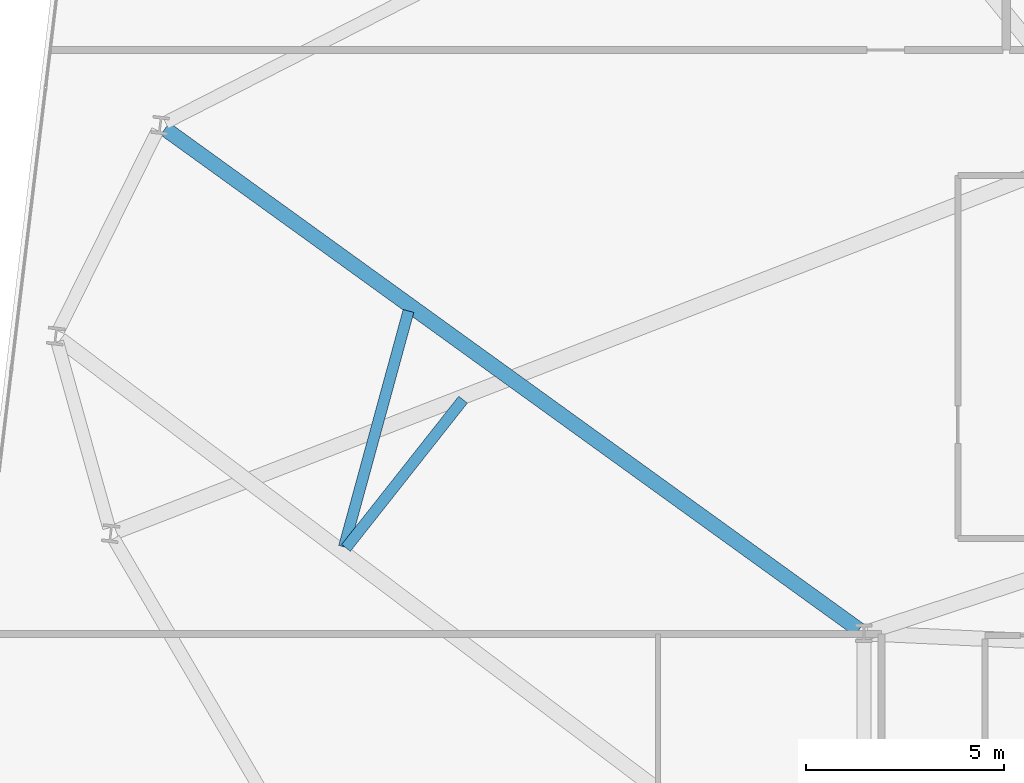
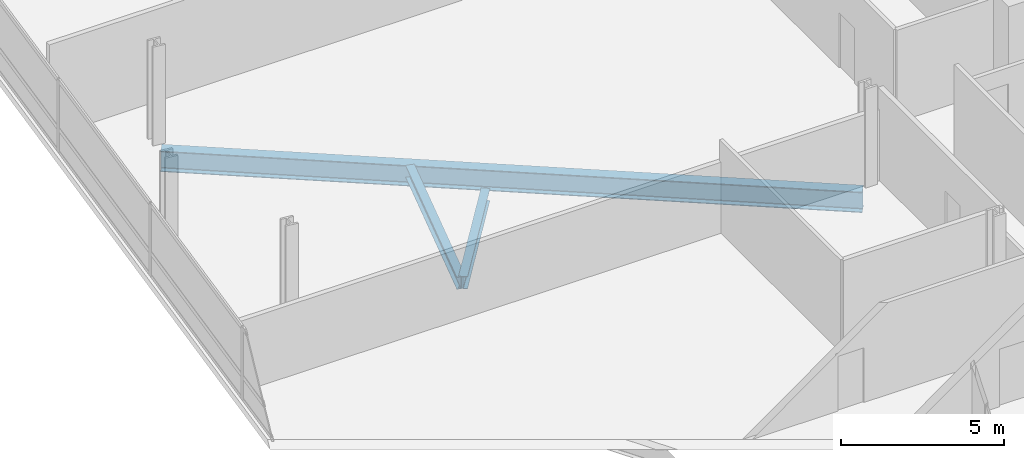
# One storey, part 9 of 25: 3 beams.
"""IFC4 building model written with IfcOpenShell, lengths in metres."""

from ifc_helpers import new_model, si_unit, direction, frame, origin, origin_2d, place, context, subcontext, project, spatial, i_section, extrude, material, material_profile, profile_set, type_object, element, save


model = new_model("IFC4")

# Units and contexts
model_context = context("Model", 3, precision=1e-05, world=origin(), true_north=direction((0.0, 1.0)))
body_context = subcontext(model_context, "Body", "Model", "MODEL_VIEW")
ifc_project = project(units=[si_unit("LENGTHUNIT", "METRE"), si_unit("AREAUNIT", "SQUARE_METRE"), si_unit("VOLUMEUNIT", "CUBIC_METRE"), si_unit("PLANEANGLEUNIT", "RADIAN"), si_unit("MASSUNIT", "GRAM", prefix="KILO")], contexts=[model_context])

# Site, building, storey
site_placement = place(None, origin())
site = spatial("IfcSite", under=ifc_project, at=site_placement, CompositionType="ELEMENT")
building_placement = place(site_placement, origin())
building = spatial("IfcBuilding", under=site, at=building_placement, Name="Varnelok Gate Tower", CompositionType="ELEMENT")
storey_placement = place(building_placement, frame((0.0, 0.0, 132.800048828125)))
storey = spatial("IfcBuildingStorey", under=building, at=storey_placement, Name="L33", CompositionType="ELEMENT", Elevation=132.800048828125)

# Beams
ifc_material = material(Name="Structural Steel ASTM A992 Grade 50", Category="steel")
ifc_material_profile_1 = material_profile(ifc_material, i_section(OverallWidth=0.280029296875, OverallDepth=0.462890625, WebThickness=0.0107421875, FlangeThickness=0.017333984375, FilletRadius=0.014892578125, at=origin_2d()), Name="W18X76")
ifc_profile_set_1 = profile_set([ifc_material_profile_1], Name="Structural Steel ASTM A992 Grade 50")
beam_type_1 = type_object("IfcBeamType", Name="BM-JST-W18X76", PredefinedType="JOIST", material=ifc_profile_set_1)
beam_1_placement = place(storey_placement, frame((12.88671875, 34.83056640625, -0.4814453125), z_axis=(-0.263665179127, -0.96461426141, 0.0), x_axis=(0.96461426141, -0.263665179127, 0.0)))
element("IfcBeam", 1, at=beam_1_placement, inside=storey, type_object=beam_type_1, Name="L33 Sector Floor Joist 11", PredefinedType="JOIST", context=body_context, shape_type="SweptSolid", body=[
    extrude(i_section(OverallWidth=0.280029296875, OverallDepth=0.462890625, WebThickness=0.0107421875, FlangeThickness=0.017333984375, FilletRadius=0.014892578125, at=origin_2d()), origin(), (0.0, 0.0, 1.0), 6.184326171875),
])
beam_2_placement = place(storey_placement, frame((11.305908203125, 28.839599609375, -0.4814453125), z_axis=(0.619776866324, 0.784778080715, 0.0), x_axis=(-0.784778080715, 0.619776866324, 0.0)))
element("IfcBeam", 2, at=beam_2_placement, inside=storey, type_object=beam_type_1, Name="L33 Sector Floor Joist 12", PredefinedType="JOIST", context=body_context, shape_type="SweptSolid", body=[
    extrude(i_section(OverallWidth=0.280029296875, OverallDepth=0.462890625, WebThickness=0.0107421875, FlangeThickness=0.017333984375, FilletRadius=0.014892578125, at=origin_2d()), origin(), (0.0, 0.0, 1.0), 4.776123046875),
])
ifc_material_profile_2 = material_profile(ifc_material, i_section(OverallWidth=0.381103515625, OverallDepth=0.77294921875, WebThickness=0.0166015625, FlangeThickness=0.027099609375, FilletRadius=0.02197265625, at=origin_2d()), Name="W30X173")
ifc_profile_set_2 = profile_set([ifc_material_profile_2], Name="Structural Steel ASTM A992 Grade 50")
beam_type_2 = type_object("IfcBeamType", Name="BM-PRI-W30X173", PredefinedType="BEAM", material=ifc_profile_set_2)
beam_3_placement = place(storey_placement, frame((24.2783203125, 26.767822265625, -0.636474609375), z_axis=(-0.810778258155, 0.585353411286, 0.0), x_axis=(-0.585353411286, -0.810778258155, 0.0)))
element("IfcBeam", 3, at=beam_3_placement, inside=storey, type_object=beam_type_2, Name="L33 Radial Floor Girder 14", PredefinedType="BEAM", context=body_context, shape_type="SweptSolid", body=[
    extrude(i_section(OverallWidth=0.381103515625, OverallDepth=0.77294921875, WebThickness=0.0166015625, FlangeThickness=0.027099609375, FilletRadius=0.02197265625, at=origin_2d()), origin(), (0.0, 0.0, 1.0), 21.645263671875),
])

save(model, "model.ifc")
